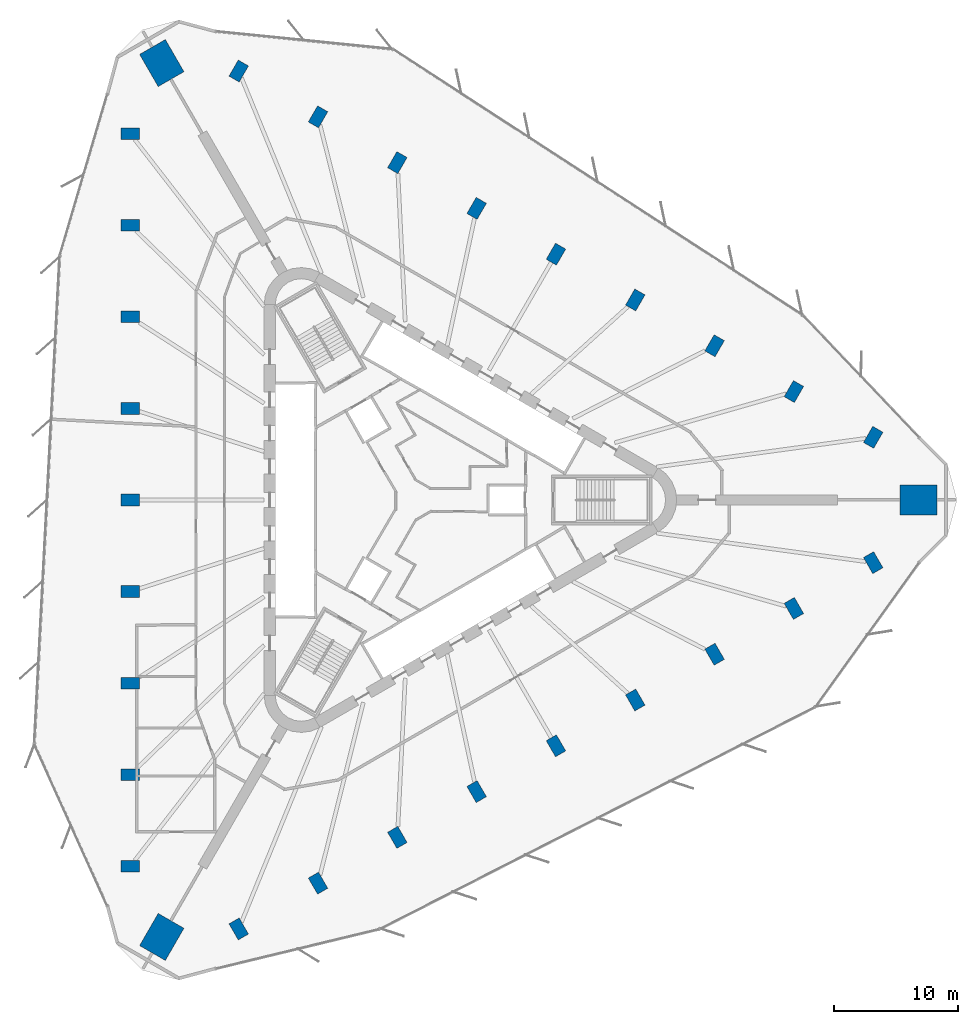
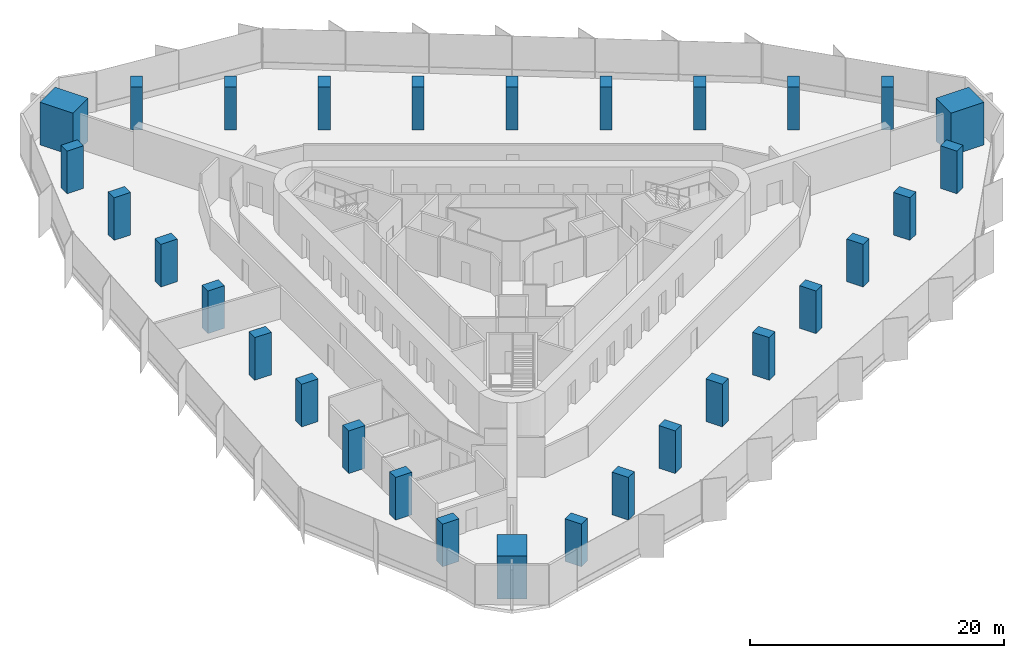
# One storey, part 1 of 14: 30 columns.
"""IFC4 building model written with IfcOpenShell, lengths in metres."""

from ifc_helpers import new_model, si_unit, direction, frame, origin, origin_2d, place, context, subcontext, project, spatial, rectangle, extrude, material, material_profile, profile_set, type_object, element, save


model = new_model("IFC4")

# Units and contexts
model_context = context("Model", 3, precision=1e-05, world=origin(), true_north=direction((0.0, 1.0)))
body_context = subcontext(model_context, "Body", "Model", "MODEL_VIEW")
ifc_project = project(units=[si_unit("LENGTHUNIT", "METRE"), si_unit("AREAUNIT", "SQUARE_METRE"), si_unit("VOLUMEUNIT", "CUBIC_METRE"), si_unit("PLANEANGLEUNIT", "RADIAN"), si_unit("MASSUNIT", "GRAM", prefix="KILO")], contexts=[model_context])

# Site, building, storey
site_placement = place(None, origin())
site = spatial("IfcSite", under=ifc_project, at=site_placement, CompositionType="ELEMENT")
building_placement = place(site_placement, origin())
building = spatial("IfcBuilding", under=site, at=building_placement, Name="Tanit Gate Tower", CompositionType="ELEMENT")
storey_placement = place(building_placement, frame((0.0, 0.0, 115.199951171875)))
storey = spatial("IfcBuildingStorey", under=building, at=storey_placement, Name="L24", CompositionType="ELEMENT", Elevation=115.199951171875)

# Columns
ifc_material_1 = material(Name="Concrete C70/85", Category="concrete")
ifc_material_profile_1 = material_profile(ifc_material_1, rectangle(XDim=3.0, YDim=2.39990234375, at=origin_2d()), Name="RC 3000x2400")
ifc_profile_set_1 = profile_set([ifc_material_profile_1], Name="Concrete C70/85")
column_type_1 = type_object("IfcColumnType", Name="MEGA COLUMN 3000x2400 C70/85", PredefinedType="COLUMN", material=ifc_profile_set_1)
for number, where, z_axis, x_axis, name in (
    (1, (40.72314453125, 0.0, 0.0), (0.0, 0.0, 1.0), (1.0, 0.0, 0.0), "MEGA COLUMN"),
    (2, (-20.361572265625, 35.26708984375, 0.0), (0.0, 0.0, 1.0), (-0.5, 0.866025403784, 0.0), "MEGA COLUMN"),
    (3, (-20.361572265625, -35.26708984375, 0.0), (0.0, 0.0, 1.0), (-0.5, -0.866025403784, 0.0), "MEGA COLUMN"),
):
    element("IfcColumn", number, at=place(storey_placement, frame(where, z_axis=z_axis, x_axis=x_axis)), inside=storey, type_object=column_type_1, Name=name, PredefinedType="COLUMN", context=body_context, shape_type="SweptSolid", body=[
        extrude(rectangle(XDim=3.0, YDim=2.39990234375, at=origin_2d()), origin(), (0.0, 0.0, 1.0), 4.10009765625),
    ])
ifc_material_2 = material(Name="Concrete C60/75", Category="concrete")
ifc_material_profile_2 = material_profile(ifc_material_2, rectangle(XDim=1.5, YDim=0.949951171875, at=origin_2d()), Name="RC 1500x950")
ifc_profile_set_2 = profile_set([ifc_material_profile_2], Name="Concrete C60/75")
column_type_2 = type_object("IfcColumnType", Name="PERIMETER COLUMN 1500x950 C60/75", PredefinedType="COLUMN", material=ifc_profile_set_2)
for number, where, z_axis, x_axis, name in (
    (4, (-22.9091796875, 29.56591796875, 0.0), (0.0, 0.0, 1.0), (-1.0, 0.0, 0.0), "PERIMETER COLUMN"),
    (5, (-22.9091796875, 22.17431640625, 0.0), (0.0, 0.0, 1.0), (-1.0, 0.0, 0.0), "PERIMETER COLUMN"),
    (6, (-22.9091796875, 14.782958984375, 0.0), (0.0, 0.0, 1.0), (-1.0, 0.0, 0.0), "PERIMETER COLUMN"),
    (7, (-22.9091796875, 7.391357421875, 0.0), (0.0, 0.0, 1.0), (-1.0, 0.0, 0.0), "PERIMETER COLUMN"),
    (8, (-22.9091796875, 0.0, 0.0), (0.0, 0.0, 1.0), (-1.0, 0.0, 0.0), "PERIMETER COLUMN"),
    (9, (-22.9091796875, -7.391357421875, 0.0), (0.0, 0.0, 1.0), (-1.0, 0.0, 0.0), "PERIMETER COLUMN"),
    (10, (-22.9091796875, -14.782958984375, 0.0), (0.0, 0.0, 1.0), (-1.0, 0.0, 0.0), "PERIMETER COLUMN"),
    (11, (-22.9091796875, -22.17431640625, 0.0), (0.0, 0.0, 1.0), (-1.0, 0.0, 0.0), "PERIMETER COLUMN"),
    (12, (-22.9091796875, -29.56591796875, 0.0), (0.0, 0.0, 1.0), (-1.0, 0.0, 0.0), "PERIMETER COLUMN"),
    (13, (37.059326171875, 5.056884765625, 0.0), (0.0, 0.0, 1.0), (0.5, 0.866025403784, 0.0), "PERIMETER COLUMN"),
    (14, (30.658203125, 8.752685546875, 0.0), (0.0, 0.0, 1.0), (0.5, 0.866025403784, 0.0), "PERIMETER COLUMN"),
    (15, (24.2568359375, 12.448486328125, 0.0), (0.0, 0.0, 1.0), (0.5, 0.866025403784, 0.0), "PERIMETER COLUMN"),
    (16, (17.855712890625, 16.14404296875, 0.0), (0.0, 0.0, 1.0), (0.5, 0.866025403784, 0.0), "PERIMETER COLUMN"),
    (17, (11.45458984375, 19.83984375, 0.0), (0.0, 0.0, 1.0), (0.5, 0.866025403784, 0.0), "PERIMETER COLUMN"),
    (18, (5.05322265625, 23.535400390625, 0.0), (0.0, 0.0, 1.0), (0.5, 0.866025403784, 0.0), "PERIMETER COLUMN"),
    (19, (-1.347900390625, 27.231201171875, 0.0), (0.0, 0.0, 1.0), (0.5, 0.866025403784, 0.0), "PERIMETER COLUMN"),
    (20, (-7.7490234375, 30.927001953125, 0.0), (0.0, 0.0, 1.0), (0.5, 0.866025403784, 0.0), "PERIMETER COLUMN"),
    (21, (-14.150146484375, 34.622802734375, 0.0), (0.0, 0.0, 1.0), (0.5, 0.866025403784, 0.0), "PERIMETER COLUMN"),
    (22, (-14.150146484375, -34.622802734375, 0.0), (0.0, 0.0, 1.0), (0.5, -0.866025403784, 0.0), "PERIMETER COLUMN"),
    (23, (-7.7490234375, -30.927001953125, 0.0), (0.0, 0.0, 1.0), (0.5, -0.866025403784, 0.0), "PERIMETER COLUMN"),
    (24, (-1.347900390625, -27.231201171875, 0.0), (0.0, 0.0, 1.0), (0.5, -0.866025403784, 0.0), "PERIMETER COLUMN"),
    (25, (5.05322265625, -23.535400390625, 0.0), (0.0, 0.0, 1.0), (0.5, -0.866025403784, 0.0), "PERIMETER COLUMN"),
    (26, (11.45458984375, -19.83984375, 0.0), (0.0, 0.0, 1.0), (0.5, -0.866025403784, 0.0), "PERIMETER COLUMN"),
    (27, (17.855712890625, -16.14404296875, 0.0), (0.0, 0.0, 1.0), (0.5, -0.866025403784, 0.0), "PERIMETER COLUMN"),
    (28, (24.2568359375, -12.448486328125, 0.0), (0.0, 0.0, 1.0), (0.5, -0.866025403784, 0.0), "PERIMETER COLUMN"),
    (29, (30.658203125, -8.752685546875, 0.0), (0.0, 0.0, 1.0), (0.5, -0.866025403784, 0.0), "PERIMETER COLUMN"),
    (30, (37.059326171875, -5.056884765625, 0.0), (0.0, 0.0, 1.0), (0.5, -0.866025403784, 0.0), "PERIMETER COLUMN"),
):
    element("IfcColumn", number, at=place(storey_placement, frame(where, z_axis=z_axis, x_axis=x_axis)), inside=storey, type_object=column_type_2, Name=name, PredefinedType="COLUMN", context=body_context, shape_type="SweptSolid", body=[
        extrude(rectangle(XDim=1.5, YDim=0.949951171875, at=origin_2d()), origin(), (0.0, 0.0, 1.0), 4.10009765625),
    ])

save(model, "model.ifc")
